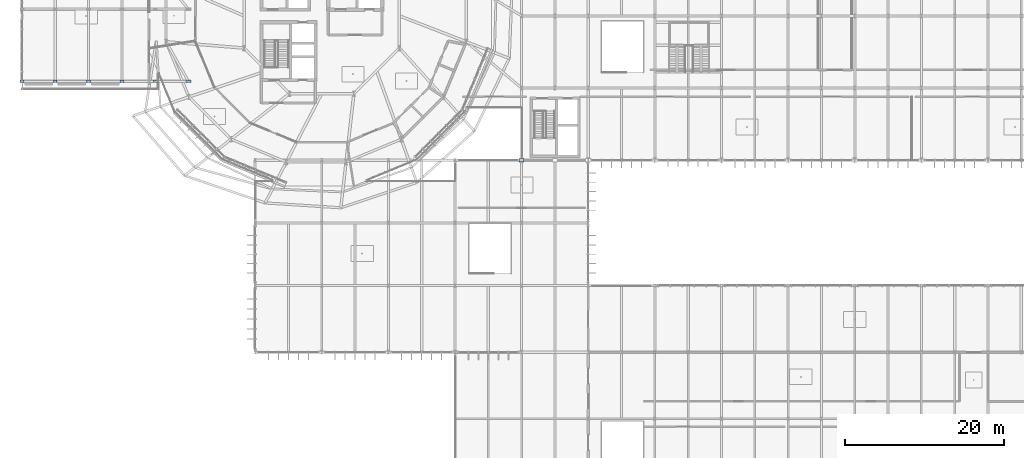
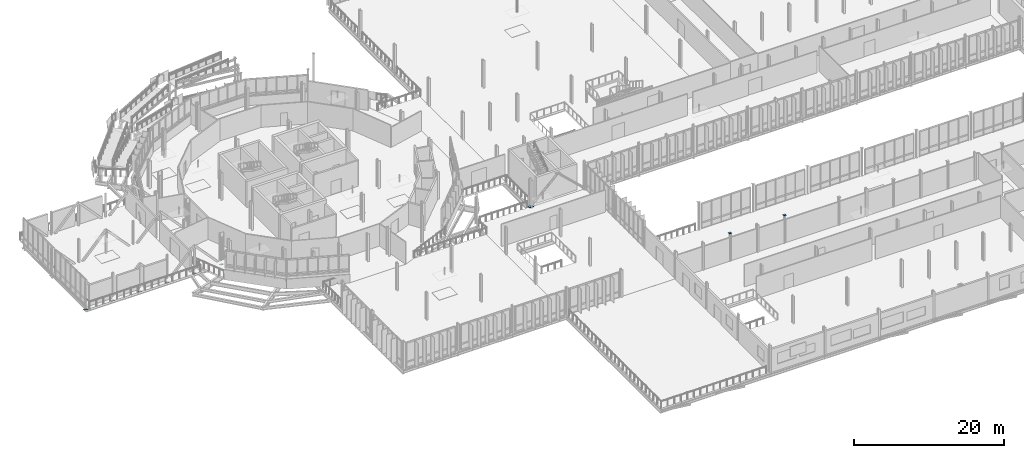
# One storey, part 96 of 139: 9 plates.
"""IFC4 building model written with IfcOpenShell, lengths in metres."""

from ifc_helpers import new_model, si_unit, derived_unit, direction, frame, origin, origin_2d, place, context, subcontext, project, spatial, rectangle, extrude, material, layer, layer_set, type_object, element, save


model = new_model("IFC4")

# Units and contexts
model_context = context("Model", 3, precision=1e-05, world=origin(), true_north=direction((0.0, 1.0)))
body_context = subcontext(model_context, "Body", "Model", "MODEL_VIEW")
ifc_project = project(units=[si_unit("LENGTHUNIT", "METRE"), si_unit("AREAUNIT", "SQUARE_METRE"), si_unit("VOLUMEUNIT", "CUBIC_METRE"), si_unit("PLANEANGLEUNIT", "RADIAN"), si_unit("MASSUNIT", "GRAM", prefix="KILO"), derived_unit("THERMALTRANSMITTANCEUNIT", [(si_unit("MASSUNIT", "GRAM", prefix="KILO"), 1), (si_unit("TIMEUNIT", "SECOND"), -3), (si_unit("THERMODYNAMICTEMPERATUREUNIT", "KELVIN"), -1)])], contexts=[model_context])

# Site, building, storey
site_placement = place(None, origin())
site = spatial("IfcSite", under=ifc_project, at=site_placement, CompositionType="ELEMENT")
building_placement = place(site_placement, origin())
building = spatial("IfcBuilding", under=site, at=building_placement, Name="Makaiwela Harbour Ferry Terminal", CompositionType="ELEMENT")
storey_placement = place(building_placement, frame((0.0, 0.0, 5.10009765625)))
storey = spatial("IfcBuildingStorey", under=building, at=storey_placement, Name="L01", CompositionType="ELEMENT", Elevation=5.10009765625)

# Plates
ifc_material = material(Name="Steel ASTM A572 Grade 50", Category="steel")
ifc_layer_1 = layer(ifc_material, 0.02197265625)
ifc_layer_set_1 = layer_set([ifc_layer_1], Name="Steel ASTM A572 Grade 50")
plate_type_1 = type_object("IfcPlateType", Name="STR-PLT-CAP2", PredefinedType="SHEET", material=ifc_layer_set_1)
for number, where, z_axis, x_axis, name in (
    (1, (79.800048828125, 25.199951171875, 4.5), (0.0, 0.0, 1.0), (1.0, 0.0, 0.0), "Welded End Cap EC-0045"),
    (2, (88.199951171875, 25.199951171875, 4.5), (0.0, 0.0, 1.0), (1.0, 0.0, 0.0), "Welded End Cap EC-0047"),
):
    element("IfcPlate", number, at=place(storey_placement, frame(where, z_axis=z_axis, x_axis=x_axis)), inside=storey, type_object=plate_type_1, Name=name, PredefinedType="SHEET", context=body_context, shape_type="SweptSolid", body=[
        extrude(rectangle(XDim=0.340087890625, YDim=0.340087890625, at=origin_2d()), origin(), (0.0, 0.0, 1.0), 0.02197265625),
    ])
ifc_layer_2 = layer(ifc_material, 0.02001953125)
ifc_layer_set_2 = layer_set([ifc_layer_2], Name="Steel ASTM A572 Grade 50")
plate_type_2 = type_object("IfcPlateType", Name="STR-PLT-GUS2", PredefinedType="USERDEFINED", material=ifc_layer_set_2)
for number, where, z_axis, x_axis, name in (
    (3, (21.0, 59.35009765625, -0.715576171875), (0.0, 0.0, 1.0), (1.0, 0.0, 0.0), "Truss Gusset Plate GP-055"),
    (4, (16.800048828125, 59.35009765625, -0.715576171875), (0.0, 0.0, 1.0), (1.0, 0.0, 0.0), "Truss Gusset Plate GP-058"),
    (5, (12.60009765625, 59.35009765625, -0.715576171875), (0.0, 0.0, 1.0), (1.0, 0.0, 0.0), "Truss Gusset Plate GP-061"),
    (6, (8.39990234375, 59.35009765625, -0.715576171875), (0.0, 0.0, 1.0), (1.0, 0.0, 0.0), "Truss Gusset Plate GP-064"),
    (7, (4.199951171875, 59.35009765625, -0.715576171875), (0.0, 0.0, 1.0), (1.0, 0.0, 0.0), "Truss Gusset Plate GP-067"),
    (8, (0.0, 59.35009765625, -0.715576171875), (0.0, 0.0, 1.0), (1.0, 0.0, 0.0), "Truss Gusset Plate GP-070"),
):
    element("IfcPlate", number, at=place(storey_placement, frame(where, z_axis=z_axis, x_axis=x_axis)), inside=storey, type_object=plate_type_2, Name=name, ObjectType="GUSSET PLATE", PredefinedType="USERDEFINED", context=body_context, shape_type="SweptSolid", body=[
        extrude(rectangle(XDim=0.47998046875, YDim=0.320068359375, at=origin_2d()), origin(), (0.0, 0.0, 1.0), 0.02001953125),
    ])
ifc_layer_3 = layer(ifc_material, 0.028076171875)
ifc_layer_set_3 = layer_set([ifc_layer_3], Name="Steel ASTM A572 Grade 50")
plate_type_3 = type_object("IfcPlateType", Name="STR-PLT-GUS3", PredefinedType="USERDEFINED", material=ifc_layer_set_3)
plate_placement = place(storey_placement, frame((63.0, 49.39990234375, 0.03564453125), z_axis=(0.0, 0.0, 1.0), x_axis=(1.0, 0.0, 0.0)))
element("IfcPlate", 9, at=plate_placement, inside=storey, type_object=plate_type_3, Name="Truss Gusset Plate GP-140", ObjectType="GUSSET PLATE", PredefinedType="USERDEFINED", context=body_context, shape_type="SweptSolid", body=[
    extrude(rectangle(XDim=0.639892578125, YDim=0.39990234375, at=origin_2d()), origin(), (0.0, 0.0, 1.0), 0.028076171875),
])

save(model, "model.ifc")
